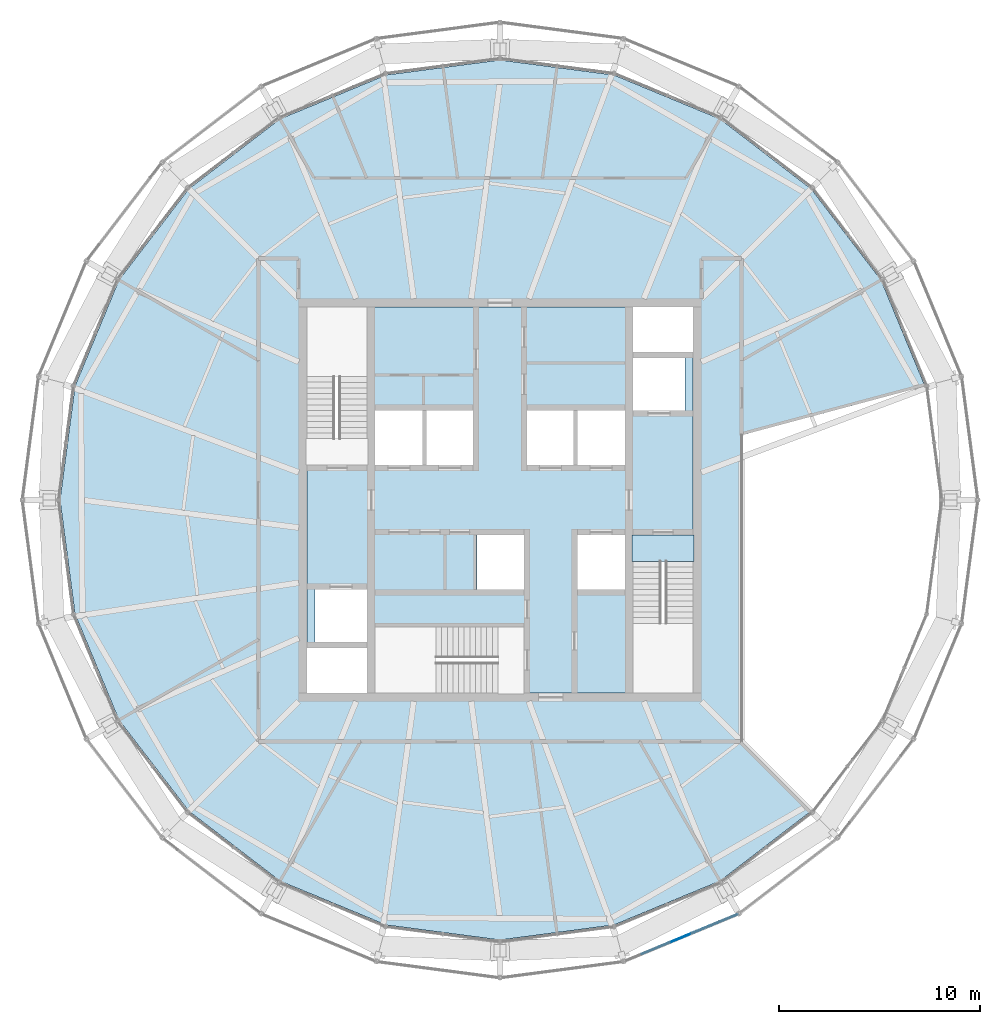
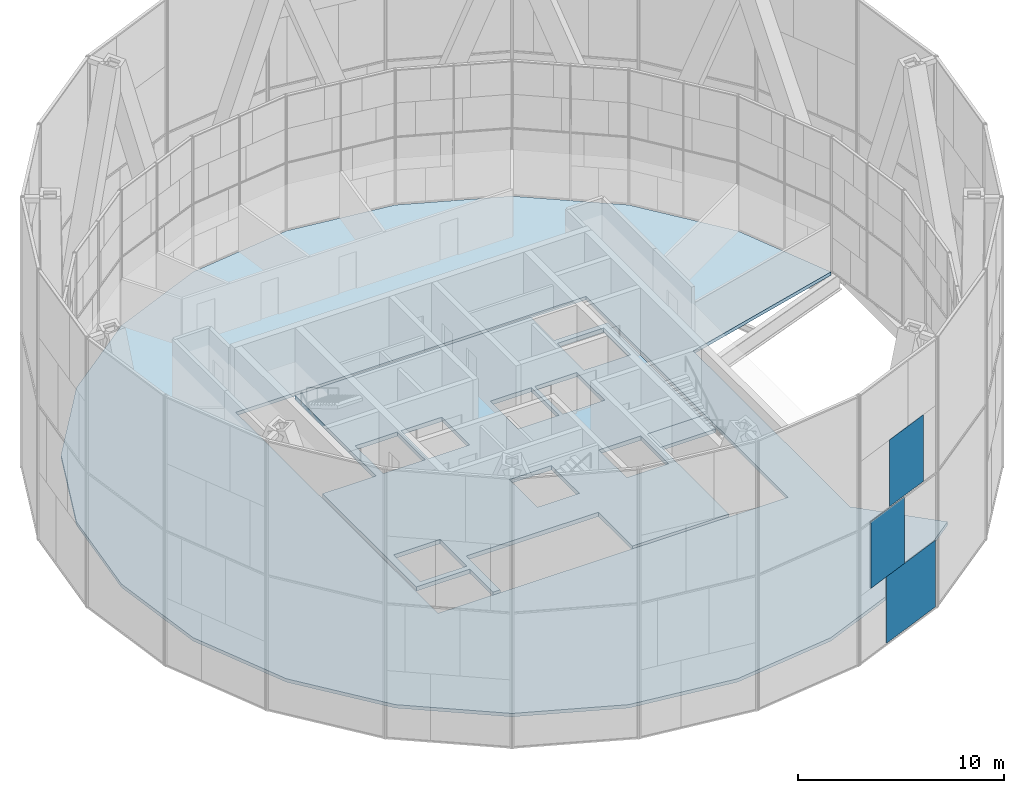
# One storey, part 13 of 22: 3 plates, 3 slabs, 1 element without a shape of its own.
"""IFC4 building model written with IfcOpenShell, lengths in metres."""

from ifc_helpers import new_model, si_unit, direction, frame, origin, origin_2d, place, context, subcontext, project, spatial, polyline, rectangle, outline, extrude, material, layer, layer_set, type_object, element, aggregate, save


model = new_model("IFC4")

# Units and contexts
model_context = context("Model", 3, precision=1e-05, world=origin(), true_north=direction((0.0, 1.0)))
body_context = subcontext(model_context, "Body", "Model", "MODEL_VIEW")
ifc_project = project(units=[si_unit("LENGTHUNIT", "METRE"), si_unit("AREAUNIT", "SQUARE_METRE"), si_unit("VOLUMEUNIT", "CUBIC_METRE"), si_unit("PLANEANGLEUNIT", "RADIAN"), si_unit("MASSUNIT", "GRAM", prefix="KILO")], contexts=[model_context])

# Site, building, storey
site_placement = place(None, origin())
site = spatial("IfcSite", under=ifc_project, at=site_placement, CompositionType="ELEMENT")
building_placement = place(site_placement, origin())
building = spatial("IfcBuilding", under=site, at=building_placement, Name="Golbaran Civic Tower", CompositionType="ELEMENT")
storey_placement = place(building_placement, frame((0.0, 0.0, 264.0)))
storey = spatial("IfcBuildingStorey", under=building, at=storey_placement, Name="L64", CompositionType="ELEMENT", Elevation=264.0)

# Slabs
ifc_material_1 = material(Name="Concrete LC30/33 lightweight on steel deck", Category="concrete")
ifc_layer_1 = layer(ifc_material_1, 0.199951171875, Name="Concrete LC30/33 lightweight on steel deck")
ifc_layer_set_1 = layer_set([ifc_layer_1], Name="Concrete LC30/33 lightweight on steel deck")
slab_type_1 = type_object("IfcSlabType", Name="COMPOSITE FLOOR SLAB 200", PredefinedType="FLOOR", material=ifc_layer_set_1)
slab_1_placement = place(storey_placement, frame((0.0, 0.0, -0.199951171875)))
element("IfcSlab", 1, at=slab_1_placement, inside=storey, type_object=slab_type_1, Name="Floor slab L64", PredefinedType="FLOOR", context=body_context, shape_type="SweptSolid", body=[
    extrude(outline(polyline([(5.6572265625, -21.113525390625), (0.0, -21.8583984375), (-5.6572265625, -21.113525390625), (-10.92919921875, -18.929931640625), (-15.4560546875, -15.4560546875), (-18.929931640625, -10.92919921875), (-21.113525390625, -5.6572265625), (-21.8583984375, 0.0), (-21.113525390625, 5.6572265625), (-18.929931640625, 10.92919921875), (-15.4560546875, 15.4560546875), (-10.92919921875, 18.929931640625), (-5.6572265625, 21.113525390625), (0.0, 21.8583984375), (5.6572265625, 21.113525390625), (10.92919921875, 18.929931640625), (15.4560546875, 15.4560546875), (18.929931640625, 10.92919921875), (21.113525390625, 5.6572265625), (12.0, 3.21533203125), (12.0, -12.0), (15.4560546875, -15.4560546875), (10.92919921875, -18.929931640625), (5.6572265625, -21.113525390625)]), holes=[polyline([(-9.800048828125, -9.800048828125), (9.800048828125, -9.800048828125), (9.800048828125, 9.800048828125), (-9.800048828125, 9.800048828125), (-9.800048828125, -9.800048828125)])]), origin(), (0.0, 0.0, 1.0), 0.199951171875),
])
ifc_material_2 = material(Name="Concrete C35/45", Category="concrete")
ifc_layer_2 = layer(ifc_material_2, 0.25, Name="Concrete C35/45")
ifc_layer_set_2 = layer_set([ifc_layer_2], Name="Concrete C35/45")
slab_type_2 = type_object("IfcSlabType", Name="CORE FLOOR SLAB 250", PredefinedType="FLOOR", material=ifc_layer_set_2)
slab_2_placement = place(storey_placement, frame((0.0, 0.0, -0.25)))
element("IfcSlab", 2, at=slab_2_placement, inside=storey, type_object=slab_type_2, Name="Core floor slab L64", PredefinedType="FLOOR", context=body_context, shape_type="SweptSolid", body=[
    extrude(outline(polyline([(6.60009765625, -1.75), (6.60009765625, -9.60009765625), (1.199951171875, -9.60009765625), (1.199951171875, -6.300048828125), (-6.199951171875, -6.300048828125), (-6.199951171875, -9.60009765625), (-6.60009765625, -9.60009765625), (-6.60009765625, -7.35009765625), (-9.60009765625, -7.35009765625), (-9.60009765625, 1.75), (-6.60009765625, 1.75), (-6.60009765625, 9.60009765625), (6.60009765625, 9.60009765625), (6.60009765625, 7.35009765625), (9.60009765625, 7.35009765625), (9.60009765625, -1.75), (6.60009765625, -1.75)]), holes=[polyline([(9.199951171875, 7.050048828125), (6.60009765625, 7.050048828125), (6.60009765625, 4.449951171875), (9.199951171875, 4.449951171875), (9.199951171875, 7.050048828125)]), polyline([(6.199951171875, -1.75), (3.85009765625, -1.75), (3.85009765625, -4.449951171875), (6.199951171875, -4.449951171875), (6.199951171875, -1.75)]), polyline([(6.199951171875, 4.449951171875), (3.85009765625, 4.449951171875), (3.85009765625, 1.75), (6.199951171875, 1.75), (6.199951171875, 4.449951171875)]), polyline([(3.64990234375, 4.449951171875), (1.35009765625, 4.449951171875), (1.35009765625, 1.75), (3.64990234375, 1.75), (3.64990234375, 4.449951171875)]), polyline([(-1.14990234375, -1.75), (-1.14990234375, -4.449951171875), (1.199951171875, -4.449951171875), (1.199951171875, -1.75), (-1.14990234375, -1.75)]), polyline([(-1.35009765625, 4.449951171875), (-3.64990234375, 4.449951171875), (-3.64990234375, 1.75), (-1.35009765625, 1.75), (-1.35009765625, 4.449951171875)]), polyline([(-3.85009765625, 4.449951171875), (-6.199951171875, 4.449951171875), (-6.199951171875, 1.75), (-3.85009765625, 1.75), (-3.85009765625, 4.449951171875)]), polyline([(-6.60009765625, -4.449951171875), (-9.199951171875, -4.449951171875), (-9.199951171875, -7.050048828125), (-6.60009765625, -7.050048828125), (-6.60009765625, -4.449951171875)])]), origin(), (0.0, 0.0, 1.0), 0.25),
])

# Curtain wall, plates
ifc_material_3 = material(Name="Aluminium and glass", Category="aluminium")
curtain_wall_type = type_object("IfcCurtainWallType", Name="OUTER SKIN TERRACOTTA SCREEN", PredefinedType="NOTDEFINED", material=ifc_material_3)
curtain_wall_placement = place(storey_placement, origin())
curtain_wall = element("IfcCurtainWall", 3, at=curtain_wall_placement, inside=storey, type_object=curtain_wall_type, Name="Outer skin L64 facet 20 CW3", ObjectType="OUTER SKIN", PredefinedType="USERDEFINED")
ifc_material_4 = material(Name="Clear laminated glass", Category="glass")
ifc_layer_3 = layer(ifc_material_4, 0.0400390625, Name="Clear laminated glass")
ifc_layer_set_3 = layer_set([ifc_layer_3], Name="Clear laminated glass")
plate_type_1 = type_object("IfcPlateType", Name="OUTER SKIN CLEAR GLASS PANEL", PredefinedType="CURTAIN_PANEL", material=ifc_layer_set_3)
plate_1_placement = place(storey_placement, frame((9.989501953125, -21.336181640625, -0.6298828125), z_axis=(0.0, 0.0, 1.0), x_axis=(0.923879532525, 0.382683432333, 0.0)))
plate_1 = element("IfcPlate", 4, at=plate_1_placement, type_object=plate_type_1, Name="CW3 panel 1.1 part 2", PredefinedType="CURTAIN_PANEL", context=body_context, shape_type="SweptSolid", body=[
    extrude(rectangle(XDim=3.908935546875, YDim=0.0400390625, at=origin_2d()), origin(), (0.0, 0.0, 1.0), 3.93994140625),
])
ifc_material_5 = material(Name="Terracotta baguette screen", Category="masonry")
ifc_layer_4 = layer(ifc_material_5, 0.0400390625, Name="Terracotta baguette screen")
ifc_layer_set_4 = layer_set([ifc_layer_4], Name="Terracotta baguette screen")
plate_type_2 = type_object("IfcPlateType", Name="OUTER SKIN TERRACOTTA INFILL PANEL", PredefinedType="CURTAIN_PANEL", material=ifc_layer_set_4)
plate_2_placement = place(storey_placement, frame((8.287353515625, -22.041259765625, 3.31005859375), z_axis=(0.0, 0.0, 1.0), x_axis=(0.923879532525, 0.382683432333, 0.0)))
plate_2 = element("IfcPlate", 5, at=plate_2_placement, type_object=plate_type_2, Name="CW3 infill panel 1.1 part 4", PredefinedType="CURTAIN_PANEL", context=body_context, shape_type="SweptSolid", body=[
    extrude(rectangle(XDim=2.68994140625, YDim=0.0400390625, at=origin_2d()), origin(), (0.0, 0.0, 1.0), 3.93994140625),
])
plate_3_placement = place(storey_placement, frame((9.66162109375, -21.47216796875, 7.330078125), z_axis=(0.0, 0.0, 1.0), x_axis=(0.923879532525, 0.382683432333, 0.0)))
plate_3 = element("IfcPlate", 6, at=plate_3_placement, type_object=plate_type_2, Name="CW3 infill panel 1.2 part 2", PredefinedType="CURTAIN_PANEL", context=body_context, shape_type="SweptSolid", body=[
    extrude(rectangle(XDim=2.68896484375, YDim=0.0400390625, at=origin_2d()), origin(), (0.0, 0.0, 1.0), 3.93994140625),
])
aggregate(curtain_wall, [plate_1, plate_2, plate_3])

# Slab
ifc_layer_5 = layer(ifc_material_2, 0.199951171875, Name="Concrete C35/45")
ifc_layer_set_5 = layer_set([ifc_layer_5], Name="Concrete C35/45")
slab_type_3 = type_object("IfcSlabType", Name="STAIR LANDING 200", PredefinedType="LANDING", material=ifc_layer_set_5)
slab_3_placement = place(storey_placement, frame((0.0, 0.0, -0.199951171875)))
element("IfcSlab", 7, at=slab_3_placement, inside=storey, type_object=slab_type_3, Name="Stair S2 floor landing L64", PredefinedType="LANDING", context=body_context, shape_type="SweptSolid", body=[
    extrude(outline(polyline([(9.64990234375, -1.75), (9.64990234375, -3.054931640625), (6.550048828125, -3.054931640625), (6.550048828125, -1.75), (9.64990234375, -1.75)])), origin(), (0.0, 0.0, 1.0), 0.199951171875),
])

save(model, "model.ifc")
